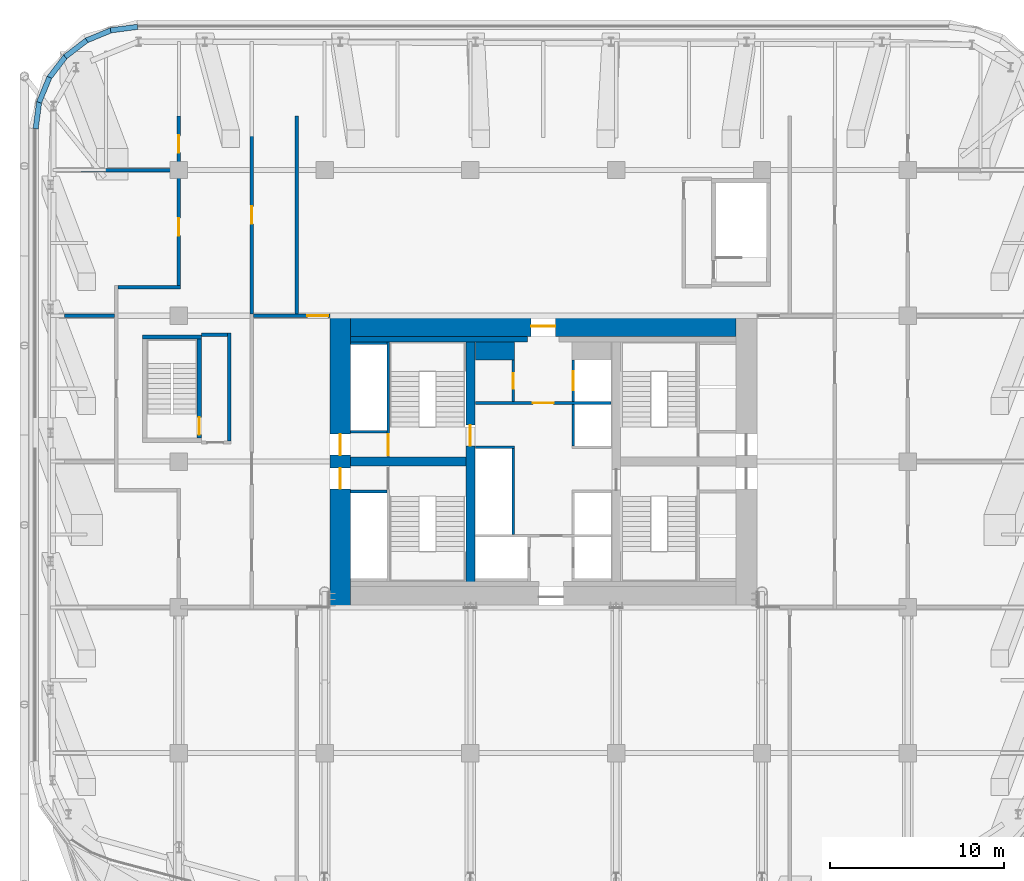
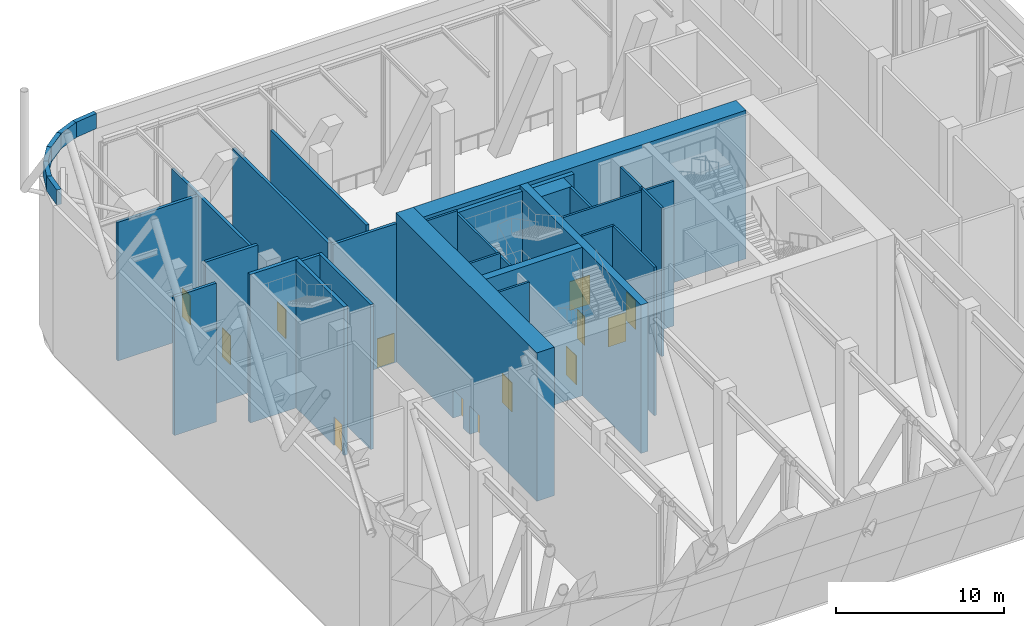
# One storey, part 10 of 19: 33 walls, 13 doors, 13 openings.
"""IFC4 building model written with IfcOpenShell, lengths in metres."""

import ifcopenshell
import ifcopenshell.guid

model = None  # the IFC model being written
_history = None  # IfcOwnerHistory: only IFC2X3 demands one
_inside = {}  # id of a spatial element -> (the spatial element, [elements in it])
_under = {}  # id of a project, library or spatial element -> (it, [spatial elements below it])
_declared = {}  # id of a project -> (the project, [libraries it declares])
_typed = {}  # id of a type object -> (the type object, [elements of that type])
_made_of = {}  # id of a material, layer set ... -> (it, [elements and type objects made of it])


def new_model(schema):
    """Start an empty IFC model of exactly this schema.

    Asked for "IFC4X3", IfcOpenShell would pick the latest addendum, in which some entities
    have other attributes; the version numbers below select the first issue.
    IFC2X3 requires an IfcOwnerHistory on every rooted entity: one is made here for all.
    """
    global model, _history
    if schema == "IFC4X3":
        model = ifcopenshell.file(schema_version=(4, 3, 0, 0))
    else:
        model = ifcopenshell.file(schema=schema)
    _inside.clear()
    _under.clear()
    _declared.clear()
    _typed.clear()
    _made_of.clear()
    _history = None
    if model.schema == "IFC2X3":
        org = make("IfcOrganization", Name="unknown")
        user = make(
            "IfcPersonAndOrganization",
            ThePerson=make("IfcPerson", FamilyName="unknown"),
            TheOrganization=org,
        )
        app = make(
            "IfcApplication",
            ApplicationDeveloper=org,
            Version="unknown",
            ApplicationFullName="unknown",
            ApplicationIdentifier="unknown",
        )
        _history = make(
            "IfcOwnerHistory",
            OwningUser=user,
            OwningApplication=app,
            ChangeAction="ADDED",
            CreationDate=0,
        )
    return model


def make(cls, **values):
    """One entity of the class cls with the attributes given. An attribute that is None is left unset."""
    return model.create_entity(
        cls, **{name: value for name, value in values.items() if value is not None}
    )


def rooted(cls, **values):
    """An entity with a GlobalId (a new one), such as an element, a storey or a relation."""
    return make(cls, GlobalId=ifcopenshell.guid.new(), OwnerHistory=_history, **values)


def si_unit(unit_type, name, prefix=None):
    """IfcSIUnit, for example si_unit("LENGTHUNIT", "METRE", prefix="MILLI")."""
    return make("IfcSIUnit", UnitType=unit_type, Prefix=prefix, Name=name)


def assignment(units):
    """IfcUnitAssignment: the units of a project."""
    return None if units is None else make("IfcUnitAssignment", Units=units)


def point(xyz):
    """IfcCartesianPoint."""
    return None if xyz is None else make("IfcCartesianPoint", Coordinates=xyz)


def direction(xyz):
    """IfcDirection."""
    return None if xyz is None else make("IfcDirection", DirectionRatios=xyz)


def frame(location, z_axis=None, x_axis=None):
    """IfcAxis2Placement3D, a coordinate frame: its origin and axes. An axis left out is left unset."""
    return make(
        "IfcAxis2Placement3D",
        Location=point(location),
        Axis=direction(z_axis),
        RefDirection=direction(x_axis),
    )


def frame_2d(location, x_axis=None):
    """IfcAxis2Placement2D, a coordinate frame in the plane: its origin and x axis."""
    return make(
        "IfcAxis2Placement2D", Location=point(location), RefDirection=direction(x_axis)
    )


def origin():
    """The frame at (0, 0, 0) with its axes left unset."""
    return frame((0.0, 0.0, 0.0))


def place(relative_to, where):
    """IfcLocalPlacement: puts the frame where relative to a parent placement (None: the world)."""
    return make(
        "IfcLocalPlacement", PlacementRelTo=relative_to, RelativePlacement=where
    )


def context(
    kind, dimensions, precision=None, world=None, true_north=None, identifier=None
):
    """IfcGeometricRepresentationContext, for example the 3D "Model" context."""
    return make(
        "IfcGeometricRepresentationContext",
        ContextIdentifier=identifier,
        ContextType=kind,
        CoordinateSpaceDimension=dimensions,
        Precision=precision,
        WorldCoordinateSystem=world,
        TrueNorth=true_north,
    )


def subcontext(parent, identifier, kind, view, scale=None):
    """IfcGeometricRepresentationSubContext, for example "Body" below "Model"."""
    return make(
        "IfcGeometricRepresentationSubContext",
        ContextIdentifier=identifier,
        ContextType=kind,
        ParentContext=parent,
        TargetScale=scale,
        TargetView=view,
    )


def project(units=None, contexts=None):
    """IfcProject with its units and contexts."""
    return rooted(
        "IfcProject",
        Name="project",
        RepresentationContexts=contexts,
        UnitsInContext=assignment(units),
    )


def spatial(cls, under=None, at=None, **own):
    """A site, building, storey or space (cls), placed at a placement, below another one or the project."""
    s = rooted(cls, ObjectPlacement=at, **own)
    if under is not None:
        _under.setdefault(under.id(), (under, []))[1].append(s)
    return s


def profile(cls, at=None, kind="AREA", **sizes):
    """A parametric profile (cls). Its sizes go by their IFC names, for example OverallWidth=200.0."""
    return make(cls, ProfileType=kind, Position=at, **sizes)


def rectangle(**sizes):
    """IfcRectangleProfileDef."""
    return profile("IfcRectangleProfileDef", **sizes)


def extrude(swept, where, along, depth):
    """IfcExtrudedAreaSolid: the profile swept, set in the frame where, extruded along a direction by depth."""
    return make(
        "IfcExtrudedAreaSolid",
        SweptArea=swept,
        Position=where,
        ExtrudedDirection=direction(along),
        Depth=depth,
    )


def shape(context_of_items, identifier, shape_type, items):
    """IfcShapeRepresentation: the items that make up one representation, for example the "Body"."""
    return make(
        "IfcShapeRepresentation",
        ContextOfItems=context_of_items,
        RepresentationIdentifier=identifier,
        RepresentationType=shape_type,
        Items=items,
    )


def material(Name=None, Category=None):
    """IfcMaterial."""
    return make("IfcMaterial", Name=Name, Category=Category)


def layer(
    of_material, thickness, ventilated=None, Name=None, Category=None, Priority=None
):
    """IfcMaterialLayer: one layer of a wall or slab, of a material (None: an air gap)."""
    return make(
        "IfcMaterialLayer",
        Material=of_material,
        LayerThickness=thickness,
        IsVentilated=ventilated,
        Name=Name,
        Category=Category,
        Priority=Priority,
    )


def layer_set(layers, Name=None):
    """IfcMaterialLayerSet."""
    return make("IfcMaterialLayerSet", MaterialLayers=layers, LayerSetName=Name)


def made_of(thing, what):
    """Note that an element or type object is made of a material, layer set ...; save() writes the relation."""
    if what is not None:
        _made_of.setdefault(what.id(), (what, []))[1].append(thing)
    return thing


def type_object(cls, material=None, **own):
    """A type object (cls), such as IfcWallType, which elements share."""
    return made_of(rooted(cls, **own), material)


def element(
    cls,
    number,
    at=None,
    inside=None,
    cuts=None,
    type_object=None,
    material=None,
    context=None,
    identifier="Body",
    shape_type=None,
    held_by="IfcProductDefinitionShape",
    body=None,
    shapes=None,
    **own,
):
    """One element of the class cls, such as IfcWall. Its Tag is "e" and its number.

    at: its placement. inside: the storey or other place that contains it. cuts: it is an
    opening in that element (IfcRelVoidsElement). A single representation is given by context,
    identifier, shape_type and body (its items); several are given by shapes. held_by: the class
    of the entity that holds the representations. save() writes the other relations.
    """
    e = rooted(cls, Tag="e%d" % number, ObjectPlacement=at, **own)
    if body is not None:
        shapes = [shape(context, identifier, shape_type, body)]
    if shapes is not None:
        e.Representation = make(held_by, Representations=shapes)
    if inside is not None:
        _inside.setdefault(inside.id(), (inside, []))[1].append(e)
    if cuts is not None:
        rooted(
            "IfcRelVoidsElement", RelatingBuildingElement=cuts, RelatedOpeningElement=e
        )
    if type_object is not None:
        _typed.setdefault(type_object.id(), (type_object, []))[1].append(e)
    return made_of(e, material)


def fill(opening, filler):
    """IfcRelFillsElement: the door or window that sits in an opening."""
    return rooted(
        "IfcRelFillsElement",
        RelatingOpeningElement=opening,
        RelatedBuildingElement=filler,
    )


def aggregate(whole, parts):
    """IfcRelAggregates: a whole, such as a stair, and the parts it consists of."""
    return rooted("IfcRelAggregates", RelatingObject=whole, RelatedObjects=parts)


def save(model, path):
    """Write the relations noted so far, then the file.

    IfcRelAggregates (storeys below a building ...), IfcRelContainedInSpatialStructure (elements
    in a storey), IfcRelDefinesByType, IfcRelAssociatesMaterial and IfcRelDeclares: one each for
    every whole, place, type object, material and project.
    """
    for whole, parts in _under.values():
        aggregate(whole, parts)
    for where, things in _inside.values():
        rooted(
            "IfcRelContainedInSpatialStructure",
            RelatedElements=things,
            RelatingStructure=where,
        )
    for kind, things in _typed.values():
        rooted("IfcRelDefinesByType", RelatedObjects=things, RelatingType=kind)
    for what, things in _made_of.values():
        rooted("IfcRelAssociatesMaterial", RelatedObjects=things, RelatingMaterial=what)
    for by, libraries in _declared.values():
        rooted("IfcRelDeclares", RelatingContext=by, RelatedDefinitions=libraries)
    model.write(path)


model = new_model("IFC4")

# Units and contexts
model_context = context("Model", 3, precision=1e-05, world=origin(), true_north=direction((0.0, 1.0)))
body_context = subcontext(model_context, "Body", "Model", "MODEL_VIEW")
ifc_project = project(units=[si_unit("LENGTHUNIT", "METRE"), si_unit("AREAUNIT", "SQUARE_METRE"), si_unit("VOLUMEUNIT", "CUBIC_METRE"), si_unit("PLANEANGLEUNIT", "RADIAN"), si_unit("MASSUNIT", "GRAM", prefix="KILO")], contexts=[model_context])

# Site, building, storey
site_placement = place(None, origin())
site = spatial("IfcSite", under=ifc_project, at=site_placement, CompositionType="ELEMENT")
building_placement = place(site_placement, origin())
building = spatial("IfcBuilding", under=site, at=building_placement, Name="Marenta Gate Hotel Tower", CompositionType="ELEMENT")
storey_placement = place(building_placement, frame((0.0, 0.0, 86.89990234375)))
storey = spatial("IfcBuildingStorey", under=building, at=storey_placement, Name="L20", CompositionType="ELEMENT", Elevation=86.89990234375)

# Wall, opening, door
ifc_material_1 = material(Name="Concrete blockwork", Category="masonry")
ifc_layer_1 = layer(ifc_material_1, 0.199951171875)
ifc_layer_set_1 = layer_set([ifc_layer_1], Name="Concrete blockwork")
wall_type_1 = type_object("IfcWallType", Name="Core boundary wall 200 REI 180", PredefinedType="PARTITIONING", material=ifc_layer_set_1)
wall_1_placement = place(storey_placement, frame((-16.699951171875, 16.800048828125, 0.0), z_axis=(0.0, 0.0, 1.0), x_axis=(1.0, 0.0, 0.0)))
wall_1 = element("IfcWall", 1, at=wall_1_placement, inside=storey, type_object=wall_type_1, Name="L20-CP-EW-WN", PredefinedType="PARTITIONING", context=body_context, shape_type="SweptSolid", body=[
    extrude(rectangle(XDim=4.39990234375, YDim=0.199951171875, at=frame_2d((2.199951171875, 0.0))), origin(), (0.0, 0.0, 1.0), 10.090087890625),
])
opening_1_placement = place(wall_1_placement, frame((3.10009765625, 0.0, 0.0)))
opening_1 = element("IfcOpeningElement", 2, at=opening_1_placement, cuts=wall_1, Name="Opening RFD-WN", PredefinedType="OPENING", context=body_context, shape_type="SweptSolid", body=[
    extrude(rectangle(XDim=1.199951171875, YDim=2.10009765625, at=frame_2d((0.60009765625, 1.050048828125))), frame((0.0, 0.10009765625, 0.0), z_axis=(0.0, -1.0, 0.0), x_axis=(1.0, 0.0, 0.0)), (0.0, 0.0, 1.0), 0.199951171875),
])
ifc_material_2 = material(Name="Steel", Category="steel")
door_type_1 = type_object("IfcDoorType", Name="Core lobby door 1200x2100 FD60", OperationType="SINGLE_SWING_LEFT", PredefinedType="DOOR", material=ifc_material_2)
door_1_placement = place(opening_1_placement, origin())
door_1 = element("IfcDoor", 3, at=door_1_placement, inside=storey, type_object=door_type_1, Name="RFD-WN", OperationType="SINGLE_SWING_LEFT", OverallHeight=2.10009765625, OverallWidth=1.199951171875, PredefinedType="DOOR", context=body_context, shape_type="SweptSolid", body=[
    extrude(rectangle(XDim=1.199951171875, YDim=2.10009765625, at=frame_2d((0.60009765625, 1.050048828125))), frame((0.0, 0.02490234375, 0.0), z_axis=(0.0, -1.0, 0.0), x_axis=(1.0, 0.0, 0.0)), (0.0, 0.0, 1.0), 0.050048828125),
])
fill(opening_1, door_1)

# Wall
ifc_material_3 = material(Name="Concrete C40", Category="concrete")
ifc_layer_2 = layer(ifc_material_3, 0.300048828125)
ifc_layer_set_2 = layer_set([ifc_layer_2], Name="Concrete C40")
wall_type_2 = type_object("IfcWallType", Name="Core lining wall 300 REI 180", PredefinedType="PARTITIONING", material=ifc_layer_set_2)
wall_2_placement = place(storey_placement, frame((-11.10009765625, 15.449951171875, 0.0), z_axis=(0.0, 0.0, 1.0), x_axis=(1.0, 0.0, 0.0)))
element("IfcWall", 4, at=wall_2_placement, inside=storey, type_object=wall_type_2, Name="L20-CP-LN-N1", PredefinedType="PARTITIONING", context=body_context, shape_type="SweptSolid", body=[
    extrude(rectangle(XDim=10.2001953125, YDim=0.300048828125, at=frame_2d((5.10009765625, 0.0))), origin(), (0.0, 0.0, 1.0), 10.5400390625),
])

# Wall, opening, door
ifc_material_4 = material(Name="Concrete blockwork", Category="masonry")
ifc_layer_3 = layer(ifc_material_4, 0.14990234375)
ifc_layer_set_3 = layer_set([ifc_layer_3], Name="Concrete blockwork")
wall_type_3 = type_object("IfcWallType", Name="Core lobby partition 150 REI 180", PredefinedType="PARTITIONING", material=ifc_layer_set_3)
wall_3_placement = place(storey_placement, frame((-3.89990234375, 11.77490234375, 0.0), z_axis=(0.0, 0.0, 1.0), x_axis=(1.0, 0.0, 0.0)))
wall_3 = element("IfcWall", 5, at=wall_3_placement, inside=storey, type_object=wall_type_3, Name="L20-CP-CW-N", PredefinedType="PARTITIONING", context=body_context, shape_type="SweptSolid", body=[
    extrude(rectangle(XDim=7.7998046875, YDim=0.14990234375, at=frame_2d((3.89990234375, 0.0))), origin(), (0.0, 0.0, 1.0), 10.5400390625),
])
opening_2_placement = place(wall_3_placement, frame((3.300048828125, 0.0, 0.0)))
opening_2 = element("IfcOpeningElement", 6, at=opening_2_placement, cuts=wall_3, Name="Opening FD-FFN", PredefinedType="OPENING", context=body_context, shape_type="SweptSolid", body=[
    extrude(rectangle(XDim=1.199951171875, YDim=2.10009765625, at=frame_2d((0.60009765625, 1.050048828125))), frame((0.0, 0.074951171875, 0.0), z_axis=(0.0, -1.0, 0.0), x_axis=(1.0, 0.0, 0.0)), (0.0, 0.0, 1.0), 0.14990234375),
])
door_2_placement = place(opening_2_placement, origin())
door_2 = element("IfcDoor", 7, at=door_2_placement, inside=storey, type_object=door_type_1, Name="FD-FFN", OperationType="SINGLE_SWING_LEFT", OverallHeight=2.10009765625, OverallWidth=1.199951171875, PredefinedType="DOOR", context=body_context, shape_type="SweptSolid", body=[
    extrude(rectangle(XDim=1.199951171875, YDim=2.10009765625, at=frame_2d((0.60009765625, 1.050048828125))), frame((0.0, 0.02490234375, 0.0), z_axis=(0.0, -1.0, 0.0), x_axis=(1.0, 0.0, 0.0)), (0.0, 0.0, 1.0), 0.050048828125),
])
fill(opening_2, door_2)

# Wall
ifc_material_5 = material(Name="Concrete blockwork", Category="masonry")
ifc_layer_4 = layer(ifc_material_5, 1.050048828125)
ifc_layer_set_4 = layer_set([ifc_layer_4], Name="Concrete blockwork")
wall_type_4 = type_object("IfcWallType", Name="Core room partition 1050 REI 180", PredefinedType="PARTITIONING", material=ifc_layer_set_4)
wall_4_placement = place(storey_placement, frame((-3.89990234375, 14.77490234375, 0.0), z_axis=(0.0, 0.0, 1.0), x_axis=(1.0, 0.0, 0.0)))
element("IfcWall", 8, at=wall_4_placement, inside=storey, type_object=wall_type_4, Name="L20-CP-CW-W-riser-N", PredefinedType="PARTITIONING", context=body_context, shape_type="SweptSolid", body=[
    extrude(rectangle(XDim=2.25, YDim=1.050048828125, at=frame_2d((1.125, 0.0))), origin(), (0.0, 0.0, 1.0), 10.5400390625),
])

# Wall, opening, door
ifc_material_6 = material(Name="Concrete blockwork", Category="masonry")
ifc_layer_5 = layer(ifc_material_6, 0.14990234375)
ifc_layer_set_5 = layer_set([ifc_layer_5], Name="Concrete blockwork")
wall_type_5 = type_object("IfcWallType", Name="Core room partition 150 REI 180", PredefinedType="PARTITIONING", material=ifc_layer_set_5)
wall_5_placement = place(storey_placement, frame((-1.72509765625, 11.85009765625, 0.0), z_axis=(0.0, 0.0, 1.0), x_axis=(0.0, 1.0, 0.0)))
wall_5 = element("IfcWall", 9, at=wall_5_placement, inside=storey, type_object=wall_type_5, Name="L20-CP-CW-W-riser-front", PredefinedType="PARTITIONING", context=body_context, shape_type="SweptSolid", body=[
    extrude(rectangle(XDim=2.39990234375, YDim=0.14990234375, at=frame_2d((1.199951171875, 0.0))), origin(), (0.0, 0.0, 1.0), 10.5400390625),
])
opening_3_placement = place(wall_5_placement, frame((0.75, 0.0, 0.0)))
opening_3 = element("IfcOpeningElement", 10, at=opening_3_placement, cuts=wall_5, Name="Opening RD-CRISER", PredefinedType="OPENING", context=body_context, shape_type="SweptSolid", body=[
    extrude(rectangle(XDim=0.89990234375, YDim=2.10009765625, at=frame_2d((0.449951171875, 1.050048828125))), frame((0.0, 0.074951171875, 0.0), z_axis=(0.0, -1.0, 0.0), x_axis=(1.0, 0.0, 0.0)), (0.0, 0.0, 1.0), 0.14990234375),
])
ifc_material_7 = material(Name="Steel", Category="steel")
door_type_2 = type_object("IfcDoorType", Name="Core riser door 900x2100 FD60", OperationType="SINGLE_SWING_LEFT", PredefinedType="DOOR", material=ifc_material_7)
door_3_placement = place(opening_3_placement, origin())
door_3 = element("IfcDoor", 11, at=door_3_placement, inside=storey, type_object=door_type_2, Name="RD-CRISER", OperationType="SINGLE_SWING_LEFT", OverallHeight=2.10009765625, OverallWidth=0.89990234375, PredefinedType="DOOR", context=body_context, shape_type="SweptSolid", body=[
    extrude(rectangle(XDim=0.89990234375, YDim=2.10009765625, at=frame_2d((0.449951171875, 1.050048828125))), frame((0.0, 0.02490234375, 0.0), z_axis=(0.0, -1.0, 0.0), x_axis=(1.0, 0.0, 0.0)), (0.0, 0.0, 1.0), 0.050048828125),
])
fill(opening_3, door_3)

# Walls
ifc_material_8 = material(Name="Concrete C40", Category="concrete")
ifc_layer_6 = layer(ifc_material_8, 0.14990234375)
ifc_layer_set_6 = layer_set([ifc_layer_6], Name="Concrete C40")
wall_type_6 = type_object("IfcWallType", Name="Core shaft wall 150 REI 180", PredefinedType="SHEAR", material=ifc_layer_set_6)
for number, where, z_axis, x_axis, name in (
    (12, (-11.10009765625, 6.675048828125, 0.0), (0.0, 0.0, 1.0), (1.0, 0.0, 0.0), "L20-SHF-SW-WS-2"),
    (13, (-11.10009765625, 10.125, 0.0), (0.0, 0.0, 1.0), (1.0, 0.0, 0.0), "L20-SHF-SW-WN-2"),
    (14, (-11.10009765625, 15.22509765625, 0.0), (0.0, 0.0, 1.0), (1.0, 0.0, 0.0), "L20-SHF-SW-WN-5"),
):
    element("IfcWall", number, at=place(storey_placement, frame(where, z_axis=z_axis, x_axis=x_axis)), inside=storey, type_object=wall_type_6, Name=name, PredefinedType="SHEAR", context=body_context, shape_type="SweptSolid", body=[
        extrude(rectangle(XDim=2.10009765625, YDim=0.14990234375, at=frame_2d((1.050048828125, 0.0))), origin(), (0.0, 0.0, 1.0), 10.800048828125),
    ])
wall_6_placement = place(storey_placement, frame((-1.72509765625, 4.199951171875, 0.0), z_axis=(0.0, 0.0, 1.0), x_axis=(0.0, 1.0, 0.0)))
element("IfcWall", 15, at=wall_6_placement, inside=storey, type_object=wall_type_6, Name="L20-SHF-CW-W-front", PredefinedType="SHEAR", context=body_context, shape_type="SweptSolid", body=[
    extrude(rectangle(XDim=4.949951171875, YDim=0.14990234375, at=frame_2d((2.47509765625, 0.0))), origin(), (0.0, 0.0, 1.0), 10.800048828125),
])
wall_7_placement = place(storey_placement, frame((-3.89990234375, 9.22509765625, 0.0), z_axis=(0.0, 0.0, 1.0), x_axis=(1.0, 0.0, 0.0)))
element("IfcWall", 16, at=wall_7_placement, inside=storey, type_object=wall_type_6, Name="L20-SHF-CW-W-sep", PredefinedType="SHEAR", context=body_context, shape_type="SweptSolid", body=[
    extrude(rectangle(XDim=2.25, YDim=0.14990234375, at=frame_2d((1.125, 0.0))), origin(), (0.0, 0.0, 1.0), 10.800048828125),
])

# Wall, opening, door
wall_8_placement = place(storey_placement, frame((1.72509765625, 11.85009765625, 0.0), z_axis=(0.0, 0.0, 1.0), x_axis=(0.0, 1.0, 0.0)))
wall_8 = element("IfcWall", 17, at=wall_8_placement, inside=storey, type_object=wall_type_6, Name="L20-SHF-CE-N-front2", PredefinedType="SHEAR", context=body_context, shape_type="SweptSolid", body=[
    extrude(rectangle(XDim=2.39990234375, YDim=0.14990234375, at=frame_2d((1.199951171875, 0.0))), origin(), (0.0, 0.0, 1.0), 10.800048828125),
])
opening_4_placement = place(wall_8_placement, frame((0.64990234375, 0.0, 0.0)))
opening_4 = element("IfcOpeningElement", 18, at=opening_4_placement, cuts=wall_8, Name="Opening LD-FF2", PredefinedType="OPENING", context=body_context, shape_type="SweptSolid", body=[
    extrude(rectangle(XDim=1.10009765625, YDim=2.10009765625, at=frame_2d((0.550048828125, 1.050048828125))), frame((0.0, 0.074951171875, 0.0), z_axis=(0.0, -1.0, 0.0), x_axis=(1.0, 0.0, 0.0)), (0.0, 0.0, 1.0), 0.14990234375),
])
ifc_material_9 = material(Name="Steel", Category="steel")
door_type_3 = type_object("IfcDoorType", Name="Core lift landing door 1100x2100 E 60", OperationType="SLIDING_TO_LEFT", PredefinedType="DOOR", material=ifc_material_9)
door_4_placement = place(opening_4_placement, origin())
door_4 = element("IfcDoor", 19, at=door_4_placement, inside=storey, type_object=door_type_3, Name="LD-FF2", OperationType="SLIDING_TO_LEFT", OverallHeight=2.10009765625, OverallWidth=1.10009765625, PredefinedType="DOOR", context=body_context, shape_type="SweptSolid", body=[
    extrude(rectangle(XDim=1.10009765625, YDim=2.10009765625, at=frame_2d((0.550048828125, 1.050048828125))), frame((0.0, 0.02490234375, 0.0), z_axis=(0.0, -1.0, 0.0), x_axis=(1.0, 0.0, 0.0)), (0.0, 0.0, 1.0), 0.050048828125),
])
fill(opening_4, door_4)

# Wall
wall_9_placement = place(storey_placement, frame((1.72509765625, 9.300048828125, 0.0), z_axis=(0.0, 0.0, 1.0), x_axis=(0.0, 1.0, 0.0)))
element("IfcWall", 20, at=wall_9_placement, inside=storey, type_object=wall_type_6, Name="L20-SHF-CE-front-2", PredefinedType="SHEAR", context=body_context, shape_type="SweptSolid", body=[
    extrude(rectangle(XDim=2.39990234375, YDim=0.14990234375, at=frame_2d((1.199951171875, 0.0))), origin(), (0.0, 0.0, 1.0), 10.800048828125),
])

# Wall, opening, door
ifc_material_10 = material(Name="Concrete C40", Category="concrete")
ifc_layer_7 = layer(ifc_material_10, 0.14990234375)
ifc_layer_set_7 = layer_set([ifc_layer_7], Name="Concrete C40")
wall_type_7 = type_object("IfcWallType", Name="Core stair enclosure wall 150 REI 180", PredefinedType="SHEAR", material=ifc_layer_set_7)
wall_10_placement = place(storey_placement, frame((-8.925048828125, 8.699951171875, 0.0), z_axis=(0.0, 0.0, 1.0), x_axis=(0.0, 1.0, 0.0)))
wall_10 = element("IfcWall", 21, at=wall_10_placement, inside=storey, type_object=wall_type_7, Name="L20-SHF-SW-WN-3", PredefinedType="SHEAR", context=body_context, shape_type="SweptSolid", body=[
    extrude(rectangle(XDim=6.60009765625, YDim=0.14990234375, at=frame_2d((3.300048828125, 0.0))), origin(), (0.0, 0.0, 1.0), 10.5400390625),
])
opening_5_placement = place(wall_10_placement, frame((0.074951171875, 0.0, 0.0)))
opening_5 = element("IfcOpeningElement", 22, at=opening_5_placement, cuts=wall_10, Name="Opening SD-WN", PredefinedType="OPENING", context=body_context, shape_type="SweptSolid", body=[
    extrude(rectangle(XDim=1.199951171875, YDim=2.10009765625, at=frame_2d((0.60009765625, 1.050048828125))), frame((0.0, 0.074951171875, 0.0), z_axis=(0.0, -1.0, 0.0), x_axis=(1.0, 0.0, 0.0)), (0.0, 0.0, 1.0), 0.14990234375),
])
ifc_material_11 = material(Name="Steel", Category="steel")
door_type_4 = type_object("IfcDoorType", Name="Core stair door 1200x2100 FD60", OperationType="SINGLE_SWING_LEFT", PredefinedType="DOOR", material=ifc_material_11)
door_5_placement = place(opening_5_placement, origin())
door_5 = element("IfcDoor", 23, at=door_5_placement, inside=storey, type_object=door_type_4, Name="SD-WN", OperationType="SINGLE_SWING_LEFT", OverallHeight=2.10009765625, OverallWidth=1.199951171875, PredefinedType="DOOR", context=body_context, shape_type="SweptSolid", body=[
    extrude(rectangle(XDim=1.199951171875, YDim=2.10009765625, at=frame_2d((0.60009765625, 1.050048828125))), frame((0.0, 0.02490234375, 0.0), z_axis=(0.0, -1.0, 0.0), x_axis=(1.0, 0.0, 0.0)), (0.0, 0.0, 1.0), 0.050048828125),
])
fill(opening_5, door_5)

# Wall, openings, doors
ifc_material_12 = material(Name="Concrete C80", Category="concrete")
ifc_layer_8 = layer(ifc_material_12, 1.199951171875)
ifc_layer_set_8 = layer_set([ifc_layer_8], Name="Concrete C80")
wall_type_8 = type_object("IfcWallType", Name="Core wall 1200 C80", PredefinedType="SHEAR", material=ifc_layer_set_8)
wall_11_placement = place(storey_placement, frame((-11.699951171875, 0.0, 0.0), z_axis=(0.0, 0.0, 1.0), x_axis=(0.0, 1.0, 0.0)))
wall_11 = element("IfcWall", 24, at=wall_11_placement, inside=storey, type_object=wall_type_8, Name="L20-CORE-W", PredefinedType="SHEAR", context=body_context, shape_type="SweptSolid", body=[
    extrude(rectangle(XDim=16.800048828125, YDim=1.199951171875, at=frame_2d((8.39990234375, 0.0))), origin(), (0.0, 0.0, 1.0), 10.800048828125),
])
opening_6_placement = place(wall_11_placement, frame((6.824951171875, 0.0, 0.0)))
opening_6 = element("IfcOpeningElement", 25, at=opening_6_placement, cuts=wall_11, Name="Opening PD-WS", PredefinedType="OPENING", context=body_context, shape_type="SweptSolid", body=[
    extrude(rectangle(XDim=1.199951171875, YDim=2.10009765625, at=frame_2d((0.60009765625, 1.050048828125))), frame((0.0, 0.60009765625, 0.0), z_axis=(0.0, -1.0, 0.0), x_axis=(1.0, 0.0, 0.0)), (0.0, 0.0, 1.0), 1.199951171875),
])
opening_7_placement = place(wall_11_placement, frame((8.77490234375, 0.0, 0.0)))
opening_7 = element("IfcOpeningElement", 26, at=opening_7_placement, cuts=wall_11, Name="Opening PD-WN", PredefinedType="OPENING", context=body_context, shape_type="SweptSolid", body=[
    extrude(rectangle(XDim=1.199951171875, YDim=2.10009765625, at=frame_2d((0.60009765625, 1.050048828125))), frame((0.0, 0.60009765625, 0.0), z_axis=(0.0, -1.0, 0.0), x_axis=(1.0, 0.0, 0.0)), (0.0, 0.0, 1.0), 1.199951171875),
])
door_6_placement = place(opening_6_placement, origin())
door_6 = element("IfcDoor", 27, at=door_6_placement, inside=storey, type_object=door_type_1, Name="PD-WS", OperationType="SINGLE_SWING_LEFT", OverallHeight=2.10009765625, OverallWidth=1.199951171875, PredefinedType="DOOR", context=body_context, shape_type="SweptSolid", body=[
    extrude(rectangle(XDim=1.199951171875, YDim=2.10009765625, at=frame_2d((0.60009765625, 1.050048828125))), frame((0.0, 0.02490234375, 0.0), z_axis=(0.0, -1.0, 0.0), x_axis=(1.0, 0.0, 0.0)), (0.0, 0.0, 1.0), 0.050048828125),
])
fill(opening_6, door_6)
door_7_placement = place(opening_7_placement, origin())
door_7 = element("IfcDoor", 28, at=door_7_placement, inside=storey, type_object=door_type_1, Name="PD-WN", OperationType="SINGLE_SWING_LEFT", OverallHeight=2.10009765625, OverallWidth=1.199951171875, PredefinedType="DOOR", context=body_context, shape_type="SweptSolid", body=[
    extrude(rectangle(XDim=1.199951171875, YDim=2.10009765625, at=frame_2d((0.60009765625, 1.050048828125))), frame((0.0, 0.02490234375, 0.0), z_axis=(0.0, -1.0, 0.0), x_axis=(1.0, 0.0, 0.0)), (0.0, 0.0, 1.0), 0.050048828125),
])
fill(opening_7, door_7)

# Wall, opening, door
wall_12_placement = place(storey_placement, frame((-11.10009765625, 16.199951171875, 0.0), z_axis=(0.0, 0.0, 1.0), x_axis=(1.0, 0.0, 0.0)))
wall_12 = element("IfcWall", 29, at=wall_12_placement, inside=storey, type_object=wall_type_8, Name="L20-CORE-N", PredefinedType="SHEAR", context=body_context, shape_type="SweptSolid", body=[
    extrude(rectangle(XDim=22.2001953125, YDim=1.199951171875, at=frame_2d((11.10009765625, 0.0))), origin(), (0.0, 0.0, 1.0), 10.800048828125),
])
opening_8_placement = place(wall_12_placement, frame((10.39990234375, 0.0, 0.0)))
opening_8 = element("IfcOpeningElement", 30, at=opening_8_placement, cuts=wall_12, Name="Opening RFD-N", PredefinedType="OPENING", context=body_context, shape_type="SweptSolid", body=[
    extrude(rectangle(XDim=1.39990234375, YDim=2.10009765625, at=frame_2d((0.699951171875, 1.050048828125))), frame((0.0, 0.60009765625, 0.0), z_axis=(0.0, -1.0, 0.0), x_axis=(1.0, 0.0, 0.0)), (0.0, 0.0, 1.0), 1.199951171875),
])
ifc_material_13 = material(Name="Steel", Category="steel")
door_type_5 = type_object("IfcDoorType", Name="Core lobby door 1400x2100 FD60", OperationType="SINGLE_SWING_LEFT", PredefinedType="DOOR", material=ifc_material_13)
door_8_placement = place(opening_8_placement, origin())
door_8 = element("IfcDoor", 31, at=door_8_placement, inside=storey, type_object=door_type_5, Name="RFD-N", OperationType="SINGLE_SWING_LEFT", OverallHeight=2.10009765625, OverallWidth=1.39990234375, PredefinedType="DOOR", context=body_context, shape_type="SweptSolid", body=[
    extrude(rectangle(XDim=1.39990234375, YDim=2.10009765625, at=frame_2d((0.699951171875, 1.050048828125))), frame((0.0, 0.02490234375, 0.0), z_axis=(0.0, -1.0, 0.0), x_axis=(1.0, 0.0, 0.0)), (0.0, 0.0, 1.0), 0.050048828125),
])
fill(opening_8, door_8)

ifc_material_14 = material(Name="Concrete C80", Category="concrete")
ifc_layer_9 = layer(ifc_material_14, 0.5)
ifc_layer_set_9 = layer_set([ifc_layer_9], Name="Concrete C80")
wall_type_9 = type_object("IfcWallType", Name="Core web 500 C80", PredefinedType="SHEAR", material=ifc_layer_set_9)
wall_13_placement = place(storey_placement, frame((-4.199951171875, 1.199951171875, 0.0), z_axis=(0.0, 0.0, 1.0), x_axis=(0.0, 1.0, 0.0)))
wall_13 = element("IfcWall", 32, at=wall_13_placement, inside=storey, type_object=wall_type_9, Name="L20-CORE-W1", PredefinedType="SHEAR", context=body_context, shape_type="SweptSolid", body=[
    extrude(rectangle(XDim=14.400146484375, YDim=0.5, at=frame_2d((7.2001953125, 0.0))), origin(), (0.0, 0.0, 1.0), 10.800048828125),
])
opening_9_placement = place(wall_13_placement, frame((8.10009765625, 0.0, 0.0)))
opening_9 = element("IfcOpeningElement", 33, at=opening_9_placement, cuts=wall_13, Name="Opening WD-W", PredefinedType="OPENING", context=body_context, shape_type="SweptSolid", body=[
    extrude(rectangle(XDim=1.199951171875, YDim=2.10009765625, at=frame_2d((0.60009765625, 1.050048828125))), frame((0.0, 0.25, 0.0), z_axis=(0.0, -1.0, 0.0), x_axis=(1.0, 0.0, 0.0)), (0.0, 0.0, 1.0), 0.5),
])
door_9_placement = place(opening_9_placement, origin())
door_9 = element("IfcDoor", 34, at=door_9_placement, inside=storey, type_object=door_type_4, Name="WD-W", OperationType="SINGLE_SWING_LEFT", OverallHeight=2.10009765625, OverallWidth=1.199951171875, PredefinedType="DOOR", context=body_context, shape_type="SweptSolid", body=[
    extrude(rectangle(XDim=1.199951171875, YDim=2.10009765625, at=frame_2d((0.60009765625, 1.050048828125))), frame((0.0, 0.02490234375, 0.0), z_axis=(0.0, -1.0, 0.0), x_axis=(1.0, 0.0, 0.0)), (0.0, 0.0, 1.0), 0.050048828125),
])
fill(opening_9, door_9)

# Walls
wall_14_placement = place(storey_placement, frame((-11.10009765625, 8.39990234375, 0.0), z_axis=(0.0, 0.0, 1.0), x_axis=(1.0, 0.0, 0.0)))
element("IfcWall", 35, at=wall_14_placement, inside=storey, type_object=wall_type_9, Name="L20-CORE-W3", PredefinedType="SHEAR", context=body_context, shape_type="SweptSolid", body=[
    extrude(rectangle(XDim=6.650146484375, YDim=0.5, at=frame_2d((3.3251953125, 0.0))), origin(), (0.0, 0.0, 1.0), 10.800048828125),
])
ifc_material_15 = material(Name="Concrete C40 board-marked", Category="concrete")
ifc_layer_10 = layer(ifc_material_15, 0.300048828125)
ifc_layer_set_10 = layer_set([ifc_layer_10], Name="Concrete C40 board-marked")
wall_type_10 = type_object("IfcWallType", Name="Parapet 300 mm board-marked concrete", PredefinedType="PARAPET", material=ifc_layer_set_10)
wall_15_placement = place(storey_placement, frame((-29.251220703125, 27.580322265625, 10.800048828125), z_axis=(0.0, 0.0, 1.0), x_axis=(0.130458544462, 0.991453765022, 0.0)))
element("IfcWall", 36, at=wall_15_placement, inside=storey, type_object=wall_type_10, Name="L20-PAR-00040", PredefinedType="PARAPET", context=body_context, shape_type="SweptSolid", body=[
    extrude(rectangle(XDim=1.56640625, YDim=0.300048828125, at=frame_2d((0.783203125, 0.0))), origin(), (0.0, 0.0, 1.0), 1.10009765625),
])
for number, where, z_axis, x_axis, name in (
    (37, (-29.056884765625, 29.095458984375, 10.800048828125), (0.0, 0.0, 1.0), (0.382677606907, 0.923881945474, 0.0), "L20-PAR-00050"),
    (38, (-28.477294921875, 30.5087890625, 10.800048828125), (0.0, 0.0, 1.0), (0.608866694003, 0.793272556524, 0.0), "L20-PAR-00060"),
):
    element("IfcWall", number, at=place(storey_placement, frame(where, z_axis=z_axis, x_axis=x_axis)), inside=storey, type_object=wall_type_10, Name=name, PredefinedType="PARAPET", context=body_context, shape_type="SweptSolid", body=[
        extrude(rectangle(XDim=1.566162109375, YDim=0.300048828125, at=frame_2d((0.783203125, 0.0))), origin(), (0.0, 0.0, 1.0), 1.10009765625),
    ])
wall_16_placement = place(storey_placement, frame((-27.55126953125, 31.7236328125, 10.800048828125), z_axis=(0.0, 0.0, 1.0), x_axis=(0.793330333374, 0.608791411033, 0.0)))
element("IfcWall", 39, at=wall_16_placement, inside=storey, type_object=wall_type_10, Name="L20-PAR-00070", PredefinedType="PARAPET", context=body_context, shape_type="SweptSolid", body=[
    extrude(rectangle(XDim=1.56640625, YDim=0.300048828125, at=frame_2d((0.783203125, 0.0))), origin(), (0.0, 0.0, 1.0), 1.10009765625),
])
wall_17_placement = place(storey_placement, frame((-26.342529296875, 32.65771484375, 10.800048828125), z_axis=(0.0, 0.0, 1.0), x_axis=(0.923881945474, 0.382677606907, 0.0)))
element("IfcWall", 40, at=wall_17_placement, inside=storey, type_object=wall_type_10, Name="L20-PAR-00080", PredefinedType="PARAPET", context=body_context, shape_type="SweptSolid", body=[
    extrude(rectangle(XDim=1.566162109375, YDim=0.300048828125, at=frame_2d((0.783203125, 0.0))), origin(), (0.0, 0.0, 1.0), 1.10009765625),
])
wall_18_placement = place(storey_placement, frame((-24.933349609375, 33.246826171875, 10.800048828125), z_axis=(0.0, 0.0, 1.0), x_axis=(0.991433593523, 0.130611751513, 0.0)))
element("IfcWall", 41, at=wall_18_placement, inside=storey, type_object=wall_type_10, Name="L20-PAR-00090", PredefinedType="PARAPET", context=body_context, shape_type="SweptSolid", body=[
    extrude(rectangle(XDim=1.56640625, YDim=0.300048828125, at=frame_2d((0.783203125, 0.0))), origin(), (0.0, 0.0, 1.0), 1.10009765625),
])
ifc_material_16 = material(Name="Concrete C40", Category="concrete")
ifc_layer_11 = layer(ifc_material_16, 0.25)
ifc_layer_set_11 = layer_set([ifc_layer_11], Name="Concrete C40")
wall_type_11 = type_object("IfcWallType", Name="Remote stair enclosure wall 250 REI 180", PredefinedType="SHEAR", material=ifc_layer_set_11)
wall_19_placement = place(storey_placement, frame((-23.10009765625, 15.574951171875, 0.10009765625), z_axis=(0.0, 0.0, 1.0), x_axis=(1.0, 0.0, 0.0)))
element("IfcWall", 42, at=wall_19_placement, inside=storey, type_object=wall_type_11, Name="L20-RS-Z1-3-W2", PredefinedType="SHEAR", context=body_context, shape_type="SweptSolid", body=[
    extrude(rectangle(XDim=3.400146484375, YDim=0.25, at=frame_2d((1.7001953125, 0.0))), origin(), (0.0, 0.0, 1.0), 10.800048828125),
])

# Wall, opening, door
wall_20_placement = place(storey_placement, frame((-19.824951171875, 9.75, 0.10009765625), z_axis=(0.0, 0.0, 1.0), x_axis=(0.0, 1.0, 0.0)))
wall_20 = element("IfcWall", 43, at=wall_20_placement, inside=storey, type_object=wall_type_11, Name="L20-RS-Z1-3-W4", PredefinedType="SHEAR", context=body_context, shape_type="SweptSolid", body=[
    extrude(rectangle(XDim=5.699951171875, YDim=0.25, at=frame_2d((2.85009765625, 0.0))), origin(), (0.0, 0.0, 1.0), 10.800048828125),
])
opening_10_placement = place(wall_20_placement, frame((0.199951171875, 0.0, 0.0)))
opening_10 = element("IfcOpeningElement", 44, at=opening_10_placement, cuts=wall_20, Name="Opening VD", PredefinedType="OPENING", context=body_context, shape_type="SweptSolid", body=[
    extrude(rectangle(XDim=1.0, YDim=2.10009765625, at=frame_2d((0.5, 1.050048828125))), frame((0.0, 0.125, 0.0), z_axis=(0.0, -1.0, 0.0), x_axis=(1.0, 0.0, 0.0)), (0.0, 0.0, 1.0), 0.25),
])
ifc_material_17 = material(Name="Steel", Category="steel")
door_type_6 = type_object("IfcDoorType", Name="Stair vestibule door 1000x2100 FD60", OperationType="SINGLE_SWING_LEFT", PredefinedType="DOOR", material=ifc_material_17)
door_10_placement = place(opening_10_placement, origin())
door_10 = element("IfcDoor", 45, at=door_10_placement, inside=storey, type_object=door_type_6, Name="VD", OperationType="SINGLE_SWING_LEFT", OverallHeight=2.10009765625, OverallWidth=1.0, PredefinedType="DOOR", context=body_context, shape_type="SweptSolid", body=[
    extrude(rectangle(XDim=1.0, YDim=2.10009765625, at=frame_2d((0.5, 1.050048828125))), frame((0.0, 0.02490234375, 0.0), z_axis=(0.0, -1.0, 0.0), x_axis=(1.0, 0.0, 0.0)), (0.0, 0.0, 1.0), 0.050048828125),
])
fill(opening_10, door_10)

ifc_material_18 = material(Name="Gypsum board on steel stud", Category="steel")
ifc_layer_12 = layer(ifc_material_18, 0.199951171875)
ifc_layer_set_12 = layer_set([ifc_layer_12], Name="Gypsum board on steel stud")
wall_type_12 = type_object("IfcWallType", Name="Room corridor wall 200 EI 60", PredefinedType="PARTITIONING", material=ifc_layer_set_12)
wall_21_placement = place(storey_placement, frame((-16.800048828125, 16.89990234375, 0.0), z_axis=(0.0, 0.0, 1.0), x_axis=(0.0, 1.0, 0.0)))
wall_21 = element("IfcWall", 46, at=wall_21_placement, inside=storey, type_object=wall_type_12, Name="L20-PTN-W017", PredefinedType="PARTITIONING", context=body_context, shape_type="SweptSolid", body=[
    extrude(rectangle(XDim=11.400146484375, YDim=0.199951171875, at=frame_2d((5.7001953125, 0.0))), origin(), (0.0, 0.0, 1.0), 10.14013671875),
])
opening_11_placement = place(wall_21_placement, frame((5.199951171875, 0.0, 0.0)))
opening_11 = element("IfcOpeningElement", 47, at=opening_11_placement, cuts=wall_21, Name="Opening S07-09", PredefinedType="OPENING", context=body_context, shape_type="SweptSolid", body=[
    extrude(rectangle(XDim=1.0, YDim=2.10009765625, at=frame_2d((0.5, 1.050048828125))), frame((0.0, 0.10009765625, 0.0), z_axis=(0.0, -1.0, 0.0), x_axis=(1.0, 0.0, 0.0)), (0.0, 0.0, 1.0), 0.199951171875),
])
ifc_material_19 = material(Name="Hollow steel door set", Category="steel")
door_type_7 = type_object("IfcDoorType", Name="Plant room door 1000x2100 EI 30", OperationType="NOTDEFINED", PredefinedType="DOOR", material=ifc_material_19)
door_11_placement = place(opening_11_placement, origin())
door_11 = element("IfcDoor", 48, at=door_11_placement, inside=storey, type_object=door_type_7, Name="L20-PD-D009", OperationType="SINGLE_SWING_RIGHT", OverallHeight=2.10009765625, OverallWidth=1.0, PredefinedType="DOOR", context=body_context, shape_type="SweptSolid", body=[
    extrude(rectangle(XDim=1.0, YDim=2.10009765625, at=frame_2d((0.5, 1.050048828125))), frame((0.0, 0.02490234375, 0.0), z_axis=(0.0, -1.0, 0.0), x_axis=(1.0, 0.0, 0.0)), (0.0, 0.0, 1.0), 0.050048828125),
])
fill(opening_11, door_11)

# Wall
wall_22_placement = place(storey_placement, frame((-24.5, 18.449951171875, 0.0), z_axis=(0.0, 0.0, 1.0), x_axis=(1.0, 0.0, 0.0)))
element("IfcWall", 49, at=wall_22_placement, inside=storey, type_object=wall_type_12, Name="L20-PTN-W021", PredefinedType="PARTITIONING", context=body_context, shape_type="SweptSolid", body=[
    extrude(rectangle(XDim=3.60009765625, YDim=0.199951171875, at=frame_2d((1.800048828125, 0.0))), origin(), (0.0, 0.0, 1.0), 10.5400390625),
])

# Wall, openings, doors
wall_23_placement = place(storey_placement, frame((-21.0, 18.550048828125, 0.0), z_axis=(0.0, 0.0, 1.0), x_axis=(0.0, 1.0, 0.0)))
wall_23 = element("IfcWall", 50, at=wall_23_placement, inside=storey, type_object=wall_type_12, Name="L20-PTN-W024", PredefinedType="PARTITIONING", context=body_context, shape_type="SweptSolid", body=[
    extrude(rectangle(XDim=9.75, YDim=0.199951171875, at=frame_2d((4.875, 0.0))), origin(), (0.0, 0.0, 1.0), 10.14013671875),
])
opening_12_placement = place(wall_23_placement, frame((2.875, 0.0, 0.0)))
opening_12 = element("IfcOpeningElement", 51, at=opening_12_placement, cuts=wall_23, Name="Opening S07-03", PredefinedType="OPENING", context=body_context, shape_type="SweptSolid", body=[
    extrude(rectangle(XDim=1.0, YDim=2.10009765625, at=frame_2d((0.5, 1.050048828125))), frame((0.0, 0.10009765625, 0.0), z_axis=(0.0, -1.0, 0.0), x_axis=(1.0, 0.0, 0.0)), (0.0, 0.0, 1.0), 0.199951171875),
])
opening_13_placement = place(wall_23_placement, frame((7.64990234375, 0.0, 0.0)))
opening_13 = element("IfcOpeningElement", 52, at=opening_13_placement, cuts=wall_23, Name="Opening S07-04", PredefinedType="OPENING", context=body_context, shape_type="SweptSolid", body=[
    extrude(rectangle(XDim=1.0, YDim=2.10009765625, at=frame_2d((0.5, 1.050048828125))), frame((0.0, 0.10009765625, 0.0), z_axis=(0.0, -1.0, 0.0), x_axis=(1.0, 0.0, 0.0)), (0.0, 0.0, 1.0), 0.199951171875),
])
door_12_placement = place(opening_12_placement, origin())
door_12 = element("IfcDoor", 53, at=door_12_placement, inside=storey, type_object=door_type_7, Name="L20-PD-D003", OperationType="SINGLE_SWING_RIGHT", OverallHeight=2.10009765625, OverallWidth=1.0, PredefinedType="DOOR", context=body_context, shape_type="SweptSolid", body=[
    extrude(rectangle(XDim=1.0, YDim=2.10009765625, at=frame_2d((0.5, 1.050048828125))), frame((0.0, 0.02490234375, 0.0), z_axis=(0.0, -1.0, 0.0), x_axis=(1.0, 0.0, 0.0)), (0.0, 0.0, 1.0), 0.050048828125),
])
fill(opening_12, door_12)
door_13_placement = place(opening_13_placement, origin())
door_13 = element("IfcDoor", 54, at=door_13_placement, inside=storey, type_object=door_type_7, Name="L20-PD-D004", OperationType="SINGLE_SWING_LEFT", OverallHeight=2.10009765625, OverallWidth=1.0, PredefinedType="DOOR", context=body_context, shape_type="SweptSolid", body=[
    extrude(rectangle(XDim=1.0, YDim=2.10009765625, at=frame_2d((0.5, 1.050048828125))), frame((0.0, 0.02490234375, 0.0), z_axis=(0.0, -1.0, 0.0), x_axis=(1.0, 0.0, 0.0)), (0.0, 0.0, 1.0), 0.050048828125),
])
fill(opening_13, door_13)

# Walls
ifc_material_20 = material(Name="Concrete blockwork", Category="masonry")
ifc_layer_13 = layer(ifc_material_20, 0.199951171875)
ifc_layer_set_13 = layer_set([ifc_layer_13], Name="Concrete blockwork")
wall_type_13 = type_object("IfcWallType", Name="Room corridor wall 200 REI 180", PredefinedType="PARTITIONING", material=ifc_layer_set_13)
wall_24_placement = place(storey_placement, frame((-19.699951171875, 15.699951171875, 0.0), z_axis=(0.0, 0.0, 1.0), x_axis=(1.0, 0.0, 0.0)))
element("IfcWall", 55, at=wall_24_placement, inside=storey, type_object=wall_type_13, Name="L20-PTN-W016", PredefinedType="PARTITIONING", context=body_context, shape_type="SweptSolid", body=[
    extrude(rectangle(XDim=1.5, YDim=0.199951171875, at=frame_2d((0.75, 0.0))), origin(), (0.0, 0.0, 1.0), 10.5400390625),
])
wall_25_placement = place(storey_placement, frame((-18.10009765625, 9.60009765625, 0.0), z_axis=(0.0, 0.0, 1.0), x_axis=(0.0, 1.0, 0.0)))
element("IfcWall", 56, at=wall_25_placement, inside=storey, type_object=wall_type_13, Name="L20-PTN-W020", PredefinedType="PARTITIONING", context=body_context, shape_type="SweptSolid", body=[
    extrude(rectangle(XDim=6.199951171875, YDim=0.199951171875, at=frame_2d((3.10009765625, 0.0))), origin(), (0.0, 0.0, 1.0), 10.5400390625),
])
ifc_material_21 = material(Name="Gypsum board on steel stud", Category="steel")
ifc_layer_14 = layer(ifc_material_21, 0.199951171875)
ifc_layer_set_14 = layer_set([ifc_layer_14], Name="Gypsum board on steel stud")
wall_type_14 = type_object("IfcWallType", Name="Room party wall 200 EI 60", PredefinedType="PARTITIONING", material=ifc_layer_set_14)
wall_26_placement = place(storey_placement, frame((-27.60009765625, 16.800048828125, 0.0), z_axis=(0.0, 0.0, 1.0), x_axis=(1.0, 0.0, 0.0)))
element("IfcWall", 57, at=wall_26_placement, inside=storey, type_object=wall_type_14, Name="L20-PTN-W018", PredefinedType="PARTITIONING", context=body_context, shape_type="SweptSolid", body=[
    extrude(rectangle(XDim=2.900146484375, YDim=0.199951171875, at=frame_2d((1.4501953125, 0.0))), origin(), (0.0, 0.0, 1.0), 10.090087890625),
])
wall_27_placement = place(storey_placement, frame((-26.64306640625, 25.199951171875, 0.0), z_axis=(0.0, 0.0, 1.0), x_axis=(1.0, 0.0, 0.0)))
element("IfcWall", 58, at=wall_27_placement, inside=storey, type_object=wall_type_14, Name="L20-PTN-W027", PredefinedType="PARTITIONING", context=body_context, shape_type="SweptSolid", body=[
    extrude(rectangle(XDim=5.54296875, YDim=0.199951171875, at=frame_2d((2.771484375, 0.0))), origin(), (0.0, 0.0, 1.0), 10.090087890625),
])
ifc_material_22 = material(Name="Concrete blockwork", Category="masonry")
ifc_layer_15 = layer(ifc_material_22, 0.199951171875)
ifc_layer_set_15 = layer_set([ifc_layer_15], Name="Concrete blockwork")
wall_type_15 = type_object("IfcWallType", Name="Room party wall 200 REI 180", PredefinedType="PARTITIONING", material=ifc_layer_set_15)
wall_28_placement = place(storey_placement, frame((-14.199951171875, 16.89990234375, 0.0), z_axis=(0.0, 0.0, 1.0), x_axis=(0.0, 1.0, 0.0)))
element("IfcWall", 59, at=wall_28_placement, inside=storey, type_object=wall_type_15, Name="L20-PTN-W015", PredefinedType="PARTITIONING", context=body_context, shape_type="SweptSolid", body=[
    extrude(rectangle(XDim=11.400146484375, YDim=0.199951171875, at=frame_2d((5.7001953125, 0.0))), origin(), (0.0, 0.0, 1.0), 10.5400390625),
])

save(model, "model.ifc")
